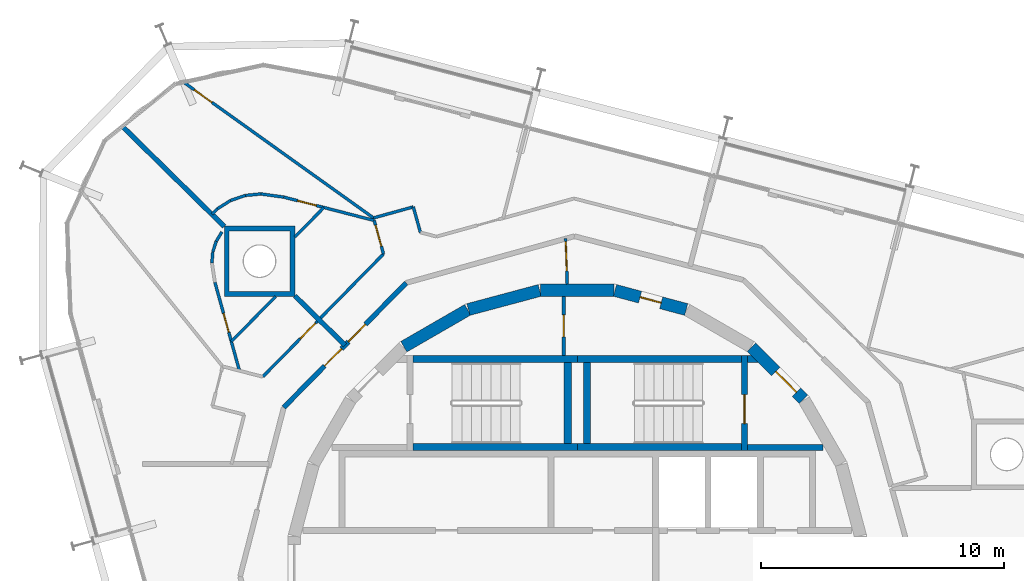
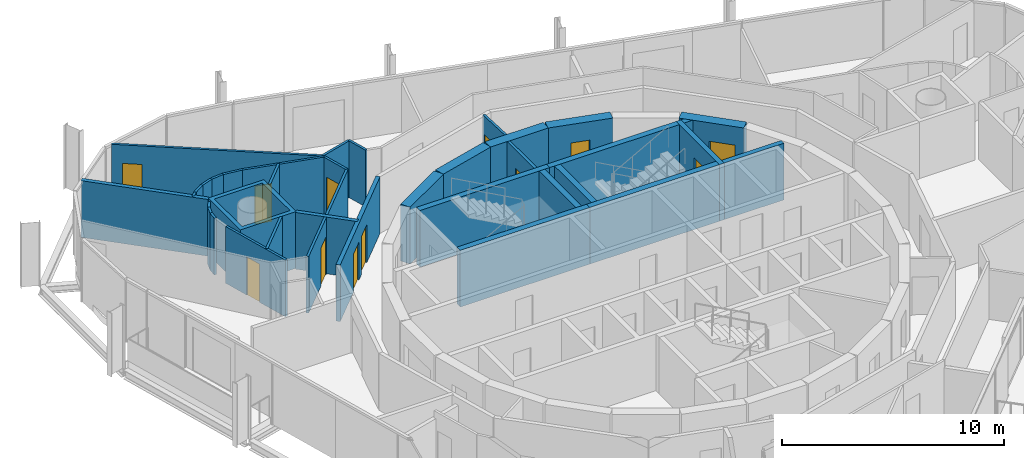
# One storey, part 13 of 16: 37 walls, 12 doors, 12 openings.
"""IFC4 building model written with IfcOpenShell, lengths in metres."""

from ifc_helpers import new_model, si_unit, direction, frame, frame_2d, origin, place, context, subcontext, project, spatial, polyline, rectangle, outline, extrude, material, layer, layer_set, type_object, element, fill, save


model = new_model("IFC4")

# Units and contexts
model_context = context("Model", 3, precision=1e-05, world=origin(), true_north=direction((0.0, 1.0)))
body_context = subcontext(model_context, "Body", "Model", "MODEL_VIEW")
ifc_project = project(units=[si_unit("LENGTHUNIT", "METRE"), si_unit("AREAUNIT", "SQUARE_METRE"), si_unit("VOLUMEUNIT", "CUBIC_METRE"), si_unit("PLANEANGLEUNIT", "RADIAN"), si_unit("MASSUNIT", "GRAM", prefix="KILO")], contexts=[model_context])

# Site, building, storey
site_placement = place(None, origin())
site = spatial("IfcSite", under=ifc_project, at=site_placement, CompositionType="ELEMENT")
building_placement = place(site_placement, origin())
building = spatial("IfcBuilding", under=site, at=building_placement, Name="Spindle Arch Residences", CompositionType="ELEMENT")
storey_placement = place(building_placement, frame((0.0, 0.0, 301.699951171875)))
storey = spatial("IfcBuildingStorey", under=building, at=storey_placement, Name="L77", CompositionType="ELEMENT", Elevation=301.699951171875)

# Wall, opening, door
ifc_material_1 = material(Name="Concrete C50/60", Category="concrete")
ifc_layer_1 = layer(ifc_material_1, 0.5)
ifc_layer_set_1 = layer_set([ifc_layer_1], Name="Core outline wall 500")
wall_type_1 = type_object("IfcWallType", Name="Core outline wall 500", PredefinedType="SHEAR", material=ifc_layer_set_1)
wall_1_placement = place(storey_placement, frame((9.30810546875, 7.163818359375, 0.0), z_axis=(0.0, 0.0, 1.0), x_axis=(-0.707106781187, 0.707106781187, 0.0)))
wall_1 = element("IfcWall", 1, at=wall_1_placement, inside=storey, type_object=wall_type_1, Name="Core outline wall 9", PredefinedType="SHEAR", context=body_context, shape_type="SweptSolid", body=[
    extrude(rectangle(XDim=3.032470703125, YDim=0.5, at=frame_2d((1.51611328125, 0.0))), origin(), (0.0, 0.0, 1.0), 3.1201171875),
])
opening_1_placement = place(wall_1_placement, frame((0.416259765625, 0.0, 0.0)))
opening_1 = element("IfcOpeningElement", 2, at=opening_1_placement, cuts=wall_1, Name="Opening R8A1-AD01", PredefinedType="OPENING", context=body_context, shape_type="SweptSolid", body=[
    extrude(rectangle(XDim=1.199951171875, YDim=2.10009765625, at=frame_2d((0.60009765625, 1.050048828125))), frame((0.0, 0.260009765625, 0.0), z_axis=(0.0, -1.0, 0.0), x_axis=(1.0, 0.0, 0.0)), (0.0, 0.0, 1.0), 0.52001953125),
])
ifc_material_2 = material(Name="Steel, fire-resisting door", Category="steel")
door_type_1 = type_object("IfcDoorType", Name="Stair airlock door 1200x2100", OperationType="SINGLE_SWING_LEFT", PredefinedType="DOOR", material=ifc_material_2)
door_1_placement = place(opening_1_placement, origin())
door_1 = element("IfcDoor", 3, at=door_1_placement, inside=storey, type_object=door_type_1, Name="Stair airlock door R8A1-AD01", OperationType="SINGLE_SWING_RIGHT", OverallHeight=2.10009765625, OverallWidth=1.199951171875, PredefinedType="DOOR", context=body_context, shape_type="SweptSolid", body=[
    extrude(rectangle(XDim=1.199951171875, YDim=2.10009765625, at=frame_2d((0.60009765625, 1.050048828125))), frame((0.0, 0.02490234375, 0.0), z_axis=(0.0, -1.0, 0.0), x_axis=(1.0, 0.0, 0.0)), (0.0, 0.0, 1.0), 0.050048828125),
])
fill(opening_1, door_1)

wall_2_placement = place(storey_placement, frame((4.479248046875, 10.858154296875, 0.0), z_axis=(0.0, 0.0, 1.0), x_axis=(-0.965948410781, 0.258734743916, 0.0)))
wall_2 = element("IfcWall", 4, at=wall_2_placement, inside=storey, type_object=wall_type_1, Name="Core outline wall 11", PredefinedType="SHEAR", context=body_context, shape_type="SweptSolid", body=[
    extrude(rectangle(XDim=3.03271484375, YDim=0.5, at=frame_2d((1.516357421875, 0.0))), origin(), (0.0, 0.0, 1.0), 3.1201171875),
])
opening_2_placement = place(wall_2_placement, frame((1.066162109375, 0.0, 0.0)))
opening_2 = element("IfcOpeningElement", 5, at=opening_2_placement, cuts=wall_2, Name="Opening R8A1-WD11", PredefinedType="OPENING", context=body_context, shape_type="SweptSolid", body=[
    extrude(rectangle(XDim=0.89990234375, YDim=2.10009765625, at=frame_2d((0.449951171875, 1.050048828125))), frame((0.0, 0.260009765625, 0.0), z_axis=(0.0, -1.0, 0.0), x_axis=(1.0, 0.0, 0.0)), (0.0, 0.0, 1.0), 0.52001953125),
])
ifc_material_3 = material(Name="Steel, fire-resisting door", Category="steel")
door_type_2 = type_object("IfcDoorType", Name="Service room door 900x2100", OperationType="SINGLE_SWING_LEFT", PredefinedType="DOOR", material=ifc_material_3)
door_2_placement = place(opening_2_placement, origin())
door_2 = element("IfcDoor", 6, at=door_2_placement, inside=storey, type_object=door_type_2, Name="Service room door R8A1-WD11", OperationType="SINGLE_SWING_LEFT", OverallHeight=2.10009765625, OverallWidth=0.89990234375, PredefinedType="DOOR", context=body_context, shape_type="SweptSolid", body=[
    extrude(rectangle(XDim=0.89990234375, YDim=2.10009765625, at=frame_2d((0.449951171875, 1.050048828125))), frame((0.0, 0.02490234375, 0.0), z_axis=(0.0, -1.0, 0.0), x_axis=(1.0, 0.0, 0.0)), (0.0, 0.0, 1.0), 0.050048828125),
])
fill(opening_2, door_2)

# Walls
for number, where, z_axis, x_axis, name in (
    (7, (1.516357421875, 11.647216796875, 0.0), (0.0, 0.0, 1.0), (-1.0, 0.0, 0.0), "Core outline wall 12"),
    (8, (-1.5498046875, 11.642822265625, 0.0), (0.0, 0.0, 1.0), (-0.965948410781, -0.258734743916, 0.0), "Core outline wall 13"),
    (9, (-4.510498046875, 10.84521484375, 0.0), (0.0, 0.0, 1.0), (-0.865975092491, -0.500087131594, 0.0), "Core outline wall 14"),
):
    element("IfcWall", number, at=place(storey_placement, frame(where, z_axis=z_axis, x_axis=x_axis)), inside=storey, type_object=wall_type_1, Name=name, PredefinedType="SHEAR", context=body_context, shape_type="SweptSolid", body=[
        extrude(rectangle(XDim=3.03271484375, YDim=0.5, at=frame_2d((1.516357421875, 0.0))), origin(), (0.0, 0.0, 1.0), 3.1201171875),
    ])

# Wall, opening, door
ifc_material_4 = material(Name="Plasterboard on steel studs", Category="steel")
ifc_layer_2 = layer(ifc_material_4, 0.1201171875)
ifc_layer_set_2 = layer_set([ifc_layer_2], Name="Corridor division wall 120")
wall_type_2 = type_object("IfcWallType", Name="Corridor division wall 120", PredefinedType="PARTITIONING", material=ifc_layer_set_2)
wall_3_placement = place(storey_placement, frame((-0.48095703125, 13.7724609375, 0.0), z_axis=(0.0, 0.0, 1.0), x_axis=(0.034870071203, -0.999391854146, 0.0)))
wall_3 = element("IfcWall", 10, at=wall_3_placement, inside=storey, type_object=wall_type_2, Name="Corridor division wall R8A1-W001", PredefinedType="PARTITIONING", context=body_context, shape_type="SweptSolid", body=[
    extrude(rectangle(XDim=1.87646484375, YDim=0.1201171875, at=frame_2d((0.938232421875, 0.0))), origin(), (0.0, 0.0, 1.0), 3.1201171875),
])
opening_3_placement = place(wall_3_placement, frame((0.125, 0.0, 0.0)))
opening_3 = element("IfcOpeningElement", 11, at=opening_3_placement, cuts=wall_3, Name="Opening R8A1-CD01", PredefinedType="OPENING", context=body_context, shape_type="SweptSolid", body=[
    extrude(rectangle(XDim=1.199951171875, YDim=2.10009765625, at=frame_2d((0.60009765625, 1.050048828125))), frame((0.0, 0.070068359375, 0.0), z_axis=(0.0, -1.0, 0.0), x_axis=(1.0, 0.0, 0.0)), (0.0, 0.0, 1.0), 0.14013671875),
])
ifc_material_5 = material(Name="Steel, fire-resisting door", Category="steel")
door_type_3 = type_object("IfcDoorType", Name="Corridor division door 1200x2100", OperationType="NOTDEFINED", PredefinedType="DOOR", material=ifc_material_5)
door_3_placement = place(opening_3_placement, origin())
door_3 = element("IfcDoor", 12, at=door_3_placement, inside=storey, type_object=door_type_3, Name="Corridor division door R8A1-CD01", OperationType="DOUBLE_DOOR_SINGLE_SWING", OverallHeight=2.10009765625, OverallWidth=1.199951171875, PredefinedType="DOOR", context=body_context, shape_type="SweptSolid", body=[
    extrude(rectangle(XDim=1.199951171875, YDim=2.10009765625, at=frame_2d((0.60009765625, 1.050048828125))), frame((0.0, 0.02490234375, 0.0), z_axis=(0.0, -1.0, 0.0), x_axis=(1.0, 0.0, 0.0)), (0.0, 0.0, 1.0), 0.050048828125),
])
fill(opening_3, door_3)

# Wall, openings, doors
ifc_material_6 = material(Name="Calcium silicate block, plastered")
ifc_layer_3 = layer(ifc_material_6, 0.199951171875)
ifc_layer_set_3 = layer_set([ifc_layer_3], Name="Corridor wall 200")
wall_type_3 = type_object("IfcWallType", Name="Corridor wall 200", PredefinedType="STANDARD", material=ifc_layer_set_3)
wall_4_placement = place(storey_placement, frame((-7.041015625, 11.953125, 0.0), z_axis=(0.0, 0.0, 1.0), x_axis=(-0.70090916255, -0.713250549143, 0.0)))
wall_4 = element("IfcWall", 13, at=wall_4_placement, inside=storey, type_object=wall_type_3, Name="Corridor wall R8A1-W012", PredefinedType="STANDARD", context=body_context, shape_type="SweptSolid", body=[
    extrude(rectangle(XDim=7.180908203125, YDim=0.199951171875, at=frame_2d((3.59033203125, 0.0))), origin(), (0.0, 0.0, 1.0), 3.1201171875),
])
opening_4_placement = place(wall_4_placement, frame((2.390380859375, 0.0, 0.0)))
opening_4 = element("IfcOpeningElement", 14, at=opening_4_placement, cuts=wall_4, Name="Opening R8A1-FD02", PredefinedType="OPENING", context=body_context, shape_type="SweptSolid", body=[
    extrude(rectangle(XDim=1.0, YDim=2.10009765625, at=frame_2d((0.5, 1.050048828125))), frame((0.0, 0.10986328125, 0.0), z_axis=(0.0, -1.0, 0.0), x_axis=(1.0, 0.0, 0.0)), (0.0, 0.0, 1.0), 0.219970703125),
])
opening_5_placement = place(wall_4_placement, frame((3.79052734375, 0.0, 0.0)))
opening_5 = element("IfcOpeningElement", 15, at=opening_5_placement, cuts=wall_4, Name="Opening R8A1-FD03", PredefinedType="OPENING", context=body_context, shape_type="SweptSolid", body=[
    extrude(rectangle(XDim=1.0, YDim=2.10009765625, at=frame_2d((0.5, 1.050048828125))), frame((0.0, 0.10986328125, 0.0), z_axis=(0.0, -1.0, 0.0), x_axis=(1.0, 0.0, 0.0)), (0.0, 0.0, 1.0), 0.219970703125),
])
ifc_material_7 = material(Name="Timber, fire-resisting door set", Category="wood")
door_type_4 = type_object("IfcDoorType", Name="Flat entrance door 1000x2100", OperationType="NOTDEFINED", PredefinedType="DOOR", material=ifc_material_7)
door_4_placement = place(opening_4_placement, origin())
door_4 = element("IfcDoor", 16, at=door_4_placement, inside=storey, type_object=door_type_4, Name="Flat entrance door R8A1-FD02", OperationType="SINGLE_SWING_RIGHT", OverallHeight=2.10009765625, OverallWidth=1.0, PredefinedType="DOOR", context=body_context, shape_type="SweptSolid", body=[
    extrude(rectangle(XDim=1.0, YDim=2.10009765625, at=frame_2d((0.5, 1.050048828125))), frame((0.0, 0.02490234375, 0.0), z_axis=(0.0, -1.0, 0.0), x_axis=(1.0, 0.0, 0.0)), (0.0, 0.0, 1.0), 0.050048828125),
])
fill(opening_4, door_4)
door_5_placement = place(opening_5_placement, origin())
door_5 = element("IfcDoor", 17, at=door_5_placement, inside=storey, type_object=door_type_4, Name="Flat entrance door R8A1-FD03", OperationType="SINGLE_SWING_LEFT", OverallHeight=2.10009765625, OverallWidth=1.0, PredefinedType="DOOR", context=body_context, shape_type="SweptSolid", body=[
    extrude(rectangle(XDim=1.0, YDim=2.10009765625, at=frame_2d((0.5, 1.050048828125))), frame((0.0, 0.02490234375, 0.0), z_axis=(0.0, -1.0, 0.0), x_axis=(1.0, 0.0, 0.0)), (0.0, 0.0, 1.0), 0.050048828125),
])
fill(opening_5, door_5)

# Walls
ifc_material_8 = material(Name="Plasterboard on steel studs", Category="steel")
ifc_layer_4 = layer(ifc_material_8, 0.1201171875)
ifc_layer_set_4 = layer_set([ifc_layer_4], Name="Flat partition 120")
wall_type_4 = type_object("IfcWallType", Name="Flat partition 120", PredefinedType="PARTITIONING", material=ifc_layer_set_4)
wall_5_placement = place(storey_placement, frame((-6.45458984375, 14.027587890625, 0.0), z_axis=(0.0, 0.0, 1.0), x_axis=(-0.267355376842, 0.963597998376, 0.0)))
element("IfcWall", 18, at=wall_5_placement, inside=storey, type_object=wall_type_4, Name="Flat partition R8A1-W046", PredefinedType="PARTITIONING", context=body_context, shape_type="SweptSolid", body=[
    extrude(rectangle(XDim=1.09130859375, YDim=0.1201171875, at=frame_2d((0.545654296875, 0.0))), origin(), (0.0, 0.0, 1.0), 3.1201171875),
])
wall_6_placement = place(storey_placement, frame((-6.746337890625, 15.0791015625, 0.0), z_axis=(0.0, 0.0, 1.0), x_axis=(-0.963624820233, -0.267258687102, 0.0)))
element("IfcWall", 19, at=wall_6_placement, inside=storey, type_object=wall_type_4, Name="Flat partition R8A1-W047", PredefinedType="PARTITIONING", context=body_context, shape_type="SweptSolid", body=[
    extrude(rectangle(XDim=1.699951171875, YDim=0.1201171875, at=frame_2d((0.85009765625, 0.0))), origin(), (0.0, 0.0, 1.0), 3.1201171875),
])

# Wall, opening, door
wall_7_placement = place(storey_placement, frame((-8.35498046875, 14.51904296875, 0.0), z_axis=(0.0, 0.0, 1.0), x_axis=(0.267052638692, -0.963681943469, 0.0)))
wall_7 = element("IfcWall", 20, at=wall_7_placement, inside=storey, type_object=wall_type_4, Name="Flat partition R8A1-W048", PredefinedType="PARTITIONING", context=body_context, shape_type="SweptSolid", body=[
    extrude(rectangle(XDim=1.427001953125, YDim=0.1201171875, at=frame_2d((0.71337890625, 0.0))), origin(), (0.0, 0.0, 1.0), 3.1201171875),
])
opening_6_placement = place(wall_7_placement, frame((0.199951171875, 0.0, 0.0)))
opening_6 = element("IfcOpeningElement", 21, at=opening_6_placement, cuts=wall_7, Name="Opening R8A1-ID07", PredefinedType="OPENING", context=body_context, shape_type="SweptSolid", body=[
    extrude(rectangle(XDim=0.89990234375, YDim=2.10009765625, at=frame_2d((0.449951171875, 1.050048828125))), frame((0.0, 0.070068359375, 0.0), z_axis=(0.0, -1.0, 0.0), x_axis=(1.0, 0.0, 0.0)), (0.0, 0.0, 1.0), 0.14013671875),
])
ifc_material_9 = material(Name="Timber door set", Category="wood")
door_type_5 = type_object("IfcDoorType", Name="Room door 900x2100", OperationType="NOTDEFINED", PredefinedType="DOOR", material=ifc_material_9)
door_6_placement = place(opening_6_placement, origin())
door_6 = element("IfcDoor", 22, at=door_6_placement, inside=storey, type_object=door_type_5, Name="Room door R8A1-ID07", OperationType="SINGLE_SWING_LEFT", OverallHeight=2.10009765625, OverallWidth=0.89990234375, PredefinedType="DOOR", context=body_context, shape_type="SweptSolid", body=[
    extrude(rectangle(XDim=0.89990234375, YDim=2.10009765625, at=frame_2d((0.449951171875, 1.050048828125))), frame((0.0, 0.02490234375, 0.0), z_axis=(0.0, -1.0, 0.0), x_axis=(1.0, 0.0, 0.0)), (0.0, 0.0, 1.0), 0.050048828125),
])
fill(opening_6, door_6)

wall_8_placement = place(storey_placement, frame((-7.973876953125, 13.143798828125, 0.0), z_axis=(0.0, 0.0, 1.0), x_axis=(-0.700910366085, -0.713249366432, 0.0)))
wall_8 = element("IfcWall", 23, at=wall_8_placement, inside=storey, type_object=wall_type_4, Name="Flat partition R8A1-W049", PredefinedType="PARTITIONING", context=body_context, shape_type="SweptSolid", body=[
    extrude(rectangle(XDim=7.08349609375, YDim=0.1201171875, at=frame_2d((3.541748046875, 0.0))), origin(), (0.0, 0.0, 1.0), 3.1201171875),
])
opening_7_placement = place(wall_8_placement, frame((3.986083984375, 0.0, 0.0)))
opening_7 = element("IfcOpeningElement", 24, at=opening_7_placement, cuts=wall_8, Name="Opening R8A1-ID09", PredefinedType="OPENING", context=body_context, shape_type="SweptSolid", body=[
    extrude(rectangle(XDim=0.89990234375, YDim=2.10009765625, at=frame_2d((0.449951171875, 1.050048828125))), frame((0.0, 0.070068359375, 0.0), z_axis=(0.0, -1.0, 0.0), x_axis=(1.0, 0.0, 0.0)), (0.0, 0.0, 1.0), 0.14013671875),
])
door_7_placement = place(opening_7_placement, origin())
door_7 = element("IfcDoor", 25, at=door_7_placement, inside=storey, type_object=door_type_5, Name="Room door R8A1-ID09", OperationType="SINGLE_SWING_LEFT", OverallHeight=2.10009765625, OverallWidth=0.89990234375, PredefinedType="DOOR", context=body_context, shape_type="SweptSolid", body=[
    extrude(rectangle(XDim=0.89990234375, YDim=2.10009765625, at=frame_2d((0.449951171875, 1.050048828125))), frame((0.0, 0.02490234375, 0.0), z_axis=(0.0, -1.0, 0.0), x_axis=(1.0, 0.0, 0.0)), (0.0, 0.0, 1.0), 0.050048828125),
])
fill(opening_7, door_7)

wall_9_placement = place(storey_placement, frame((-16.165283203125, 20.18798828125, 0.0), z_axis=(0.0, 0.0, 1.0), x_axis=(0.813459166979, -0.581622028175, 0.0)))
wall_9 = element("IfcWall", 26, at=wall_9_placement, inside=storey, type_object=wall_type_4, Name="Flat partition R8A1-W051", PredefinedType="PARTITIONING", context=body_context, shape_type="SweptSolid", body=[
    extrude(rectangle(XDim=9.56494140625, YDim=0.1201171875, at=frame_2d((4.782470703125, 0.0))), origin(), (0.0, 0.0, 1.0), 3.1201171875),
])
opening_8_placement = place(wall_9_placement, frame((0.5, 0.0, 0.0)))
opening_8 = element("IfcOpeningElement", 27, at=opening_8_placement, cuts=wall_9, Name="Opening R8A1-ID08", PredefinedType="OPENING", context=body_context, shape_type="SweptSolid", body=[
    extrude(rectangle(XDim=0.89990234375, YDim=2.10009765625, at=frame_2d((0.449951171875, 1.050048828125))), frame((0.0, 0.070068359375, 0.0), z_axis=(0.0, -1.0, 0.0), x_axis=(1.0, 0.0, 0.0)), (0.0, 0.0, 1.0), 0.14013671875),
])
door_8_placement = place(opening_8_placement, origin())
door_8 = element("IfcDoor", 28, at=door_8_placement, inside=storey, type_object=door_type_5, Name="Room door R8A1-ID08", OperationType="SINGLE_SWING_RIGHT", OverallHeight=2.10009765625, OverallWidth=0.89990234375, PredefinedType="DOOR", context=body_context, shape_type="SweptSolid", body=[
    extrude(rectangle(XDim=0.89990234375, YDim=2.10009765625, at=frame_2d((0.449951171875, 1.050048828125))), frame((0.0, 0.02490234375, 0.0), z_axis=(0.0, -1.0, 0.0), x_axis=(1.0, 0.0, 0.0)), (0.0, 0.0, 1.0), 0.050048828125),
])
fill(opening_8, door_8)

wall_10_placement = place(storey_placement, frame((-8.35498046875, 14.51904296875, 0.0), z_axis=(0.0, 0.0, 1.0), x_axis=(-0.968146911612, 0.250382821969, 0.0)))
wall_10 = element("IfcWall", 29, at=wall_10_placement, inside=storey, type_object=wall_type_4, Name="Flat partition R8A1-W052", PredefinedType="PARTITIONING", context=body_context, shape_type="SweptSolid", body=[
    extrude(rectangle(XDim=3.8466796875, YDim=0.1201171875, at=frame_2d((1.92333984375, 0.0))), origin(), (0.0, 0.0, 1.0), 3.1201171875),
])
opening_9_placement = place(wall_10_placement, frame((2.458251953125, 0.0, 0.0)))
opening_9 = element("IfcOpeningElement", 30, at=opening_9_placement, cuts=wall_10, Name="Opening R8A1-BD02", PredefinedType="OPENING", context=body_context, shape_type="SweptSolid", body=[
    extrude(rectangle(XDim=0.800048828125, YDim=2.10009765625, at=frame_2d((0.39990234375, 1.050048828125))), frame((0.0, 0.070068359375, 0.0), z_axis=(0.0, -1.0, 0.0), x_axis=(1.0, 0.0, 0.0)), (0.0, 0.0, 1.0), 0.14013671875),
])
ifc_material_10 = material(Name="Timber door set", Category="wood")
door_type_6 = type_object("IfcDoorType", Name="Bathroom door 800x2100", OperationType="NOTDEFINED", PredefinedType="DOOR", material=ifc_material_10)
door_9_placement = place(opening_9_placement, origin())
door_9 = element("IfcDoor", 31, at=door_9_placement, inside=storey, type_object=door_type_6, Name="Bathroom door R8A1-BD02", OperationType="SINGLE_SWING_LEFT", OverallHeight=2.10009765625, OverallWidth=0.800048828125, PredefinedType="DOOR", context=body_context, shape_type="SweptSolid", body=[
    extrude(rectangle(XDim=0.800048828125, YDim=2.10009765625, at=frame_2d((0.39990234375, 1.050048828125))), frame((0.0, 0.02490234375, 0.0), z_axis=(0.0, -1.0, 0.0), x_axis=(1.0, 0.0, 0.0)), (0.0, 0.0, 1.0), 0.050048828125),
])
fill(opening_9, door_9)

# Walls
wall_11_placement = place(storey_placement, frame((-10.42529296875, 15.054443359375, 0.0), z_axis=(0.0, 0.0, 1.0), x_axis=(-0.700866383264, -0.713292585698, 0.0)))
element("IfcWall", 32, at=wall_11_placement, inside=storey, type_object=wall_type_4, Name="Flat partition R8A1-W053", PredefinedType="PARTITIONING", context=body_context, shape_type="SweptSolid", body=[
    extrude(rectangle(XDim=1.709228515625, YDim=0.1201171875, at=frame_2d((0.8544921875, 0.0))), origin(), (0.0, 0.0, 1.0), 3.1201171875),
])
wall_12_placement = place(storey_placement, frame((-15.031982421875, 14.771728515625, 0.0), z_axis=(0.0, 0.0, 1.0), x_axis=(0.701378407906, 0.712789119532, 0.0)))
element("IfcWall", 33, at=wall_12_placement, inside=storey, type_object=wall_type_4, Name="Flat partition R8A1-W054", PredefinedType="PARTITIONING", context=body_context, shape_type="SweptSolid", body=[
    extrude(rectangle(XDim=0.321044921875, YDim=0.1201171875, at=frame_2d((0.16064453125, 0.0))), origin(), (0.0, 0.0, 1.0), 3.1201171875),
])
wall_13_placement = place(storey_placement, frame((-14.806884765625, 15.00048828125, 0.0), z_axis=(0.0, 0.0, 1.0), x_axis=(0.846499451836, 0.532389592349, 0.0)))
element("IfcWall", 34, at=wall_13_placement, inside=storey, type_object=wall_type_4, Name="Flat partition R8A1-W055", PredefinedType="PARTITIONING", context=body_context, shape_type="SweptSolid", body=[
    extrude(rectangle(XDim=0.64208984375, YDim=0.1201171875, at=frame_2d((0.321044921875, 0.0))), origin(), (0.0, 0.0, 1.0), 3.1201171875),
])
for number, where, z_axis, x_axis, name in (
    (35, (-14.263427734375, 15.34228515625, 0.0), (0.0, 0.0, 1.0), (0.946415093137, 0.322952738775, 0.0), "Flat partition R8A1-W056"),
    (36, (-13.656005859375, 15.549560546875, 0.0), (0.0, 0.0, 1.0), (0.995395778839, 0.095850109388, 0.0), "Flat partition R8A1-W057"),
):
    element("IfcWall", number, at=place(storey_placement, frame(where, z_axis=z_axis, x_axis=x_axis)), inside=storey, type_object=wall_type_4, Name=name, PredefinedType="PARTITIONING", context=body_context, shape_type="SweptSolid", body=[
        extrude(rectangle(XDim=0.641845703125, YDim=0.1201171875, at=frame_2d((0.32080078125, 0.0))), origin(), (0.0, 0.0, 1.0), 3.1201171875),
    ])
wall_14_placement = place(storey_placement, frame((-13.01708984375, 15.611083984375, 0.0), z_axis=(0.0, 0.0, 1.0), x_axis=(0.990688406717, -0.136148745119, 0.0)))
element("IfcWall", 37, at=wall_14_placement, inside=storey, type_object=wall_type_4, Name="Flat partition R8A1-W058", PredefinedType="PARTITIONING", context=body_context, shape_type="SweptSolid", body=[
    extrude(rectangle(XDim=0.94677734375, YDim=0.1201171875, at=frame_2d((0.473388671875, 0.0))), origin(), (0.0, 0.0, 1.0), 3.1201171875),
])

# Wall, opening, door
wall_15_placement = place(storey_placement, frame((-13.898681640625, 8.33984375, 0.0), z_axis=(0.0, 0.0, 1.0), x_axis=(-0.267286775597, 0.963617029525, 0.0)))
wall_15 = element("IfcWall", 38, at=wall_15_placement, inside=storey, type_object=wall_type_4, Name="Flat partition R8A1-W063", PredefinedType="PARTITIONING", context=body_context, shape_type="SweptSolid", body=[
    extrude(rectangle(XDim=3.773193359375, YDim=0.1201171875, at=frame_2d((1.88671875, 0.0))), origin(), (0.0, 0.0, 1.0), 3.1201171875),
])
opening_10_placement = place(wall_15_placement, frame((1.645751953125, 0.0, 0.0)))
opening_10 = element("IfcOpeningElement", 39, at=opening_10_placement, cuts=wall_15, Name="Opening R8A1-BD03", PredefinedType="OPENING", context=body_context, shape_type="SweptSolid", body=[
    extrude(rectangle(XDim=0.800048828125, YDim=2.10009765625, at=frame_2d((0.39990234375, 1.050048828125))), frame((0.0, 0.070068359375, 0.0), z_axis=(0.0, -1.0, 0.0), x_axis=(1.0, 0.0, 0.0)), (0.0, 0.0, 1.0), 0.14013671875),
])
door_10_placement = place(opening_10_placement, origin())
door_10 = element("IfcDoor", 40, at=door_10_placement, inside=storey, type_object=door_type_6, Name="Bathroom door R8A1-BD03", OperationType="SINGLE_SWING_RIGHT", OverallHeight=2.10009765625, OverallWidth=0.800048828125, PredefinedType="DOOR", context=body_context, shape_type="SweptSolid", body=[
    extrude(rectangle(XDim=0.800048828125, YDim=2.10009765625, at=frame_2d((0.39990234375, 1.050048828125))), frame((0.0, 0.02490234375, 0.0), z_axis=(0.0, -1.0, 0.0), x_axis=(1.0, 0.0, 0.0)), (0.0, 0.0, 1.0), 0.050048828125),
])
fill(opening_10, door_10)

# Walls
for number, where, z_axis, x_axis, name in (
    (41, (-15.031005859375, 12.773193359375, 0.0), (0.0, 0.0, 1.0), (0.078379560664, 0.996923590086, 0.0), "Flat partition R8A1-W065"),
    (42, (-14.995361328125, 13.2265625, 0.0), (0.0, 0.0, 1.0), (0.30590494568, 0.952062059011, 0.0), "Flat partition R8A1-W066"),
    (43, (-14.856201171875, 13.65966796875, 0.0), (0.0, 0.0, 1.0), (0.517885366955, 0.855450025831, 0.0), "Flat partition R8A1-W067"),
):
    element("IfcWall", number, at=place(storey_placement, frame(where, z_axis=z_axis, x_axis=x_axis)), inside=storey, type_object=wall_type_4, Name=name, PredefinedType="PARTITIONING", context=body_context, shape_type="SweptSolid", body=[
        extrude(rectangle(XDim=0.454833984375, YDim=0.1201171875, at=frame_2d((0.2275390625, 0.0))), origin(), (0.0, 0.0, 1.0), 3.1201171875),
    ])
wall_16_placement = place(storey_placement, frame((-14.231689453125, 9.540283203125, 0.0), z_axis=(0.0, 0.0, 1.0), x_axis=(0.700890401548, 0.713268985038, 0.0)))
element("IfcWall", 44, at=wall_16_placement, inside=storey, type_object=wall_type_4, Name="Flat partition R8A1-W069", PredefinedType="PARTITIONING", context=body_context, shape_type="SweptSolid", body=[
    extrude(rectangle(XDim=2.603515625, YDim=0.1201171875, at=frame_2d((1.3017578125, 0.0))), origin(), (0.0, 0.0, 1.0), 3.1201171875),
])
ifc_material_11 = material(Name="Calcium silicate block, plastered")
ifc_layer_5 = layer(ifc_material_11, 0.199951171875)
ifc_layer_set_5 = layer_set([ifc_layer_5], Name="Flat party wall 200")
wall_type_5 = type_object("IfcWallType", Name="Flat party wall 200", PredefinedType="STANDARD", material=ifc_layer_set_5)
wall_17_placement = place(storey_placement, frame((-11.623291015625, 11.422119140625, 0.0), z_axis=(0.0, 0.0, 1.0), x_axis=(0.713233657229, -0.700926351478, 0.0)))
element("IfcWall", 45, at=wall_17_placement, inside=storey, type_object=wall_type_5, Name="Flat party wall R8A1-W026", PredefinedType="STANDARD", context=body_context, shape_type="SweptSolid", body=[
    extrude(rectangle(XDim=2.896240234375, YDim=0.199951171875, at=frame_2d((1.4482421875, 0.0))), origin(), (0.0, 0.0, 1.0), 3.1201171875),
])
wall_18_placement = place(storey_placement, frame((-18.74072265625, 18.41650390625, 0.0), z_axis=(0.0, 0.0, 1.0), x_axis=(0.713252414586, -0.700907264256, 0.0)))
element("IfcWall", 46, at=wall_18_placement, inside=storey, type_object=wall_type_5, Name="Flat party wall R8A1-W027", PredefinedType="STANDARD", context=body_context, shape_type="SweptSolid", body=[
    extrude(rectangle(XDim=5.9130859375, YDim=0.199951171875, at=frame_2d((2.95654296875, 0.0))), origin(), (0.0, 0.0, 1.0), 3.1201171875),
])
ifc_material_12 = material(Name="Calcium silicate block, plastered")
ifc_layer_6 = layer(ifc_material_12, 0.199951171875)
ifc_layer_set_6 = layer_set([ifc_layer_6], Name="Mega-column casing wall 200")
wall_type_6 = type_object("IfcWallType", Name="Mega-column casing wall 200", PredefinedType="STANDARD", material=ifc_layer_set_6)
wall_19_placement = place(storey_placement, origin())
element("IfcWall", 47, at=wall_19_placement, inside=storey, type_object=wall_type_6, Name="Mega-column casing wall R8A1-WC02", PredefinedType="STANDARD", context=body_context, shape_type="SweptSolid", body=[
    extrude(outline(polyline([(-11.623291015625, 14.297119140625), (-11.623291015625, 11.397216796875), (-14.523193359375, 11.397216796875), (-14.523193359375, 14.297119140625), (-11.623291015625, 14.297119140625)]), holes=[polyline([(-14.3232421875, 11.59716796875), (-11.8232421875, 11.59716796875), (-11.8232421875, 14.09716796875), (-14.3232421875, 14.09716796875), (-14.3232421875, 11.59716796875)])]), origin(), (0.0, 0.0, 1.0), 3.1201171875),
])

# Wall, opening, door
ifc_material_13 = material(Name="Concrete C25/30", Category="concrete")
ifc_layer_7 = layer(ifc_material_13, 0.14990234375)
ifc_layer_set_7 = layer_set([ifc_layer_7], Name="Service room partition 150")
wall_type_7 = type_object("IfcWallType", Name="Service room partition 150", PredefinedType="PARTITIONING", material=ifc_layer_set_7)
wall_20_placement = place(storey_placement, frame((-0.5615234375, 8.969970703125, 0.0), z_axis=(0.0, 0.0, 1.0), x_axis=(0.0, 1.0, 0.0)))
wall_20 = element("IfcWall", 48, at=wall_20_placement, inside=storey, type_object=wall_type_7, Name="Core service room partition", PredefinedType="PARTITIONING", context=body_context, shape_type="SweptSolid", body=[
    extrude(rectangle(XDim=2.42724609375, YDim=0.14990234375, at=frame_2d((1.213623046875, 0.0))), origin(), (0.0, 0.0, 1.0), 3.1201171875),
])
opening_11_placement = place(wall_20_placement, frame((0.763671875, 0.0, 0.0)))
opening_11 = element("IfcOpeningElement", 49, at=opening_11_placement, cuts=wall_20, Name="Opening R8A1-WD06", PredefinedType="OPENING", context=body_context, shape_type="SweptSolid", body=[
    extrude(rectangle(XDim=0.89990234375, YDim=2.10009765625, at=frame_2d((0.449951171875, 1.050048828125))), frame((0.0, 0.0849609375, 0.0), z_axis=(0.0, -1.0, 0.0), x_axis=(1.0, 0.0, 0.0)), (0.0, 0.0, 1.0), 0.169921875),
])
door_11_placement = place(opening_11_placement, origin())
door_11 = element("IfcDoor", 50, at=door_11_placement, inside=storey, type_object=door_type_2, Name="Service room door R8A1-WD06", OperationType="SINGLE_SWING_RIGHT", OverallHeight=2.10009765625, OverallWidth=0.89990234375, PredefinedType="DOOR", context=body_context, shape_type="SweptSolid", body=[
    extrude(rectangle(XDim=0.89990234375, YDim=2.10009765625, at=frame_2d((0.449951171875, 1.050048828125))), frame((0.0, 0.02490234375, 0.0), z_axis=(0.0, -1.0, 0.0), x_axis=(1.0, 0.0, 0.0)), (0.0, 0.0, 1.0), 0.050048828125),
])
fill(opening_11, door_11)

# Walls
ifc_material_14 = material(Name="Concrete C40/50", Category="concrete")
ifc_layer_8 = layer(ifc_material_14, 0.25)
ifc_layer_set_8 = layer_set([ifc_layer_8], Name="Stair airlock wall 250")
wall_type_8 = type_object("IfcWallType", Name="Stair airlock wall 250", PredefinedType="SHEAR", material=ifc_layer_set_8)
wall_21_placement = place(storey_placement, frame((7.0, 5.175048828125, 0.0), z_axis=(0.0, 0.0, 1.0), x_axis=(1.0, 0.0, 0.0)))
element("IfcWall", 51, at=wall_21_placement, inside=storey, type_object=wall_type_8, Name="Stair ST-1 airlock wall S", PredefinedType="SHEAR", context=body_context, shape_type="SweptSolid", body=[
    extrude(rectangle(XDim=3.10009765625, YDim=0.25, at=frame_2d((1.550048828125, 0.0))), origin(), (0.0, 0.0, 1.0), 3.1201171875),
])
ifc_material_15 = material(Name="Concrete C40/50", Category="concrete")
wall_type_9 = type_object("IfcWallType", Name="Stair airlock wall profile", PredefinedType="SHEAR", material=ifc_material_15)
wall_22_placement = place(storey_placement, origin())
element("IfcWall", 52, at=wall_22_placement, inside=storey, type_object=wall_type_9, Name="Stair ST-1 airlock wall N", PredefinedType="SHEAR", context=body_context, shape_type="SweptSolid", body=[
    extrude(outline(polyline([(7.4482421875, 8.669921875), (7.0, 8.669921875), (7.0, 8.969970703125), (7.148193359375, 8.969970703125), (7.4482421875, 8.669921875)])), origin(), (0.0, 0.0, 1.0), 3.1201171875),
])

# Wall, opening, door
ifc_material_16 = material(Name="Concrete C50/60", Category="concrete")
ifc_layer_9 = layer(ifc_material_16, 0.25)
ifc_layer_set_9 = layer_set([ifc_layer_9], Name="Stair enclosure wall 250")
wall_type_10 = type_object("IfcWallType", Name="Stair enclosure wall 250", PredefinedType="SHEAR", material=ifc_layer_set_9)
wall_23_placement = place(storey_placement, frame((6.875, 5.050048828125, 0.0), z_axis=(0.0, 0.0, 1.0), x_axis=(0.0, 1.0, 0.0)))
wall_23 = element("IfcWall", 53, at=wall_23_placement, inside=storey, type_object=wall_type_10, Name="Stair ST-1 door wall", PredefinedType="SHEAR", context=body_context, shape_type="SweptSolid", body=[
    extrude(rectangle(XDim=3.919921875, YDim=0.25, at=frame_2d((1.9599609375, 0.0))), origin(), (0.0, 0.0, 1.0), 3.1201171875),
])
opening_12_placement = place(wall_23_placement, frame((1.110107421875, 0.0, 0.0)))
opening_12 = element("IfcOpeningElement", 54, at=opening_12_placement, cuts=wall_23, Name="Opening R8A1-SD01", PredefinedType="OPENING", context=body_context, shape_type="SweptSolid", body=[
    extrude(rectangle(XDim=1.199951171875, YDim=2.10009765625, at=frame_2d((0.60009765625, 1.050048828125))), frame((0.0, 0.135009765625, 0.0), z_axis=(0.0, -1.0, 0.0), x_axis=(1.0, 0.0, 0.0)), (0.0, 0.0, 1.0), 0.27001953125),
])
ifc_material_17 = material(Name="Steel, fire-resisting door", Category="steel")
door_type_7 = type_object("IfcDoorType", Name="Stair door 1200x2100", OperationType="SINGLE_SWING_RIGHT", PredefinedType="DOOR", material=ifc_material_17)
door_12_placement = place(opening_12_placement, origin())
door_12 = element("IfcDoor", 55, at=door_12_placement, inside=storey, type_object=door_type_7, Name="Stair door R8A1-SD01", OperationType="SINGLE_SWING_LEFT", OverallHeight=2.10009765625, OverallWidth=1.199951171875, PredefinedType="DOOR", context=body_context, shape_type="SweptSolid", body=[
    extrude(rectangle(XDim=1.199951171875, YDim=2.10009765625, at=frame_2d((0.60009765625, 1.050048828125))), frame((0.0, 0.02490234375, 0.0), z_axis=(0.0, -1.0, 0.0), x_axis=(1.0, 0.0, 0.0)), (0.0, 0.0, 1.0), 0.050048828125),
])
fill(opening_12, door_12)

# Walls
ifc_material_18 = material(Name="Concrete C50/60", Category="concrete")
ifc_layer_10 = layer(ifc_material_18, 0.300048828125)
ifc_layer_set_10 = layer_set([ifc_layer_10], Name="Stair enclosure wall 300")
wall_type_11 = type_object("IfcWallType", Name="Stair enclosure wall 300", PredefinedType="SHEAR", material=ifc_layer_set_10)
for number, where, z_axis, x_axis, name in (
    (56, (0.0, 5.199951171875, 0.0), (0.0, 0.0, 1.0), (1.0, 0.0, 0.0), "Stair ST-1 enclosure wall S"),
    (57, (0.0, 8.820068359375, 0.0), (0.0, 0.0, 1.0), (1.0, 0.0, 0.0), "Stair ST-1 enclosure wall N"),
):
    element("IfcWall", number, at=place(storey_placement, frame(where, z_axis=z_axis, x_axis=x_axis)), inside=storey, type_object=wall_type_11, Name=name, PredefinedType="SHEAR", context=body_context, shape_type="SweptSolid", body=[
        extrude(rectangle(XDim=6.75, YDim=0.300048828125, at=frame_2d((3.375, 0.0))), origin(), (0.0, 0.0, 1.0), 3.1201171875),
    ])
wall_24_placement = place(storey_placement, frame((0.39990234375, 5.35009765625, 0.0), z_axis=(0.0, 0.0, 1.0), x_axis=(0.0, 1.0, 0.0)))
element("IfcWall", 58, at=wall_24_placement, inside=storey, type_object=wall_type_11, Name="Stair ST-1 enclosure wall F", PredefinedType="SHEAR", context=body_context, shape_type="SweptSolid", body=[
    extrude(rectangle(XDim=3.31982421875, YDim=0.300048828125, at=frame_2d((1.659912109375, 0.0))), origin(), (0.0, 0.0, 1.0), 3.1201171875),
])
for number, where, z_axis, x_axis, name in (
    (59, (-6.75, 5.199951171875, 0.0), (0.0, 0.0, 1.0), (1.0, 0.0, 0.0), "Stair ST-2 enclosure wall S"),
    (60, (-6.75, 8.820068359375, 0.0), (0.0, 0.0, 1.0), (1.0, 0.0, 0.0), "Stair ST-2 enclosure wall N"),
):
    element("IfcWall", number, at=place(storey_placement, frame(where, z_axis=z_axis, x_axis=x_axis)), inside=storey, type_object=wall_type_11, Name=name, PredefinedType="SHEAR", context=body_context, shape_type="SweptSolid", body=[
        extrude(rectangle(XDim=6.75, YDim=0.300048828125, at=frame_2d((3.375, 0.0))), origin(), (0.0, 0.0, 1.0), 3.1201171875),
    ])
wall_25_placement = place(storey_placement, frame((-0.39990234375, 5.35009765625, 0.0), z_axis=(0.0, 0.0, 1.0), x_axis=(0.0, 1.0, 0.0)))
element("IfcWall", 61, at=wall_25_placement, inside=storey, type_object=wall_type_11, Name="Stair ST-2 enclosure wall F", PredefinedType="SHEAR", context=body_context, shape_type="SweptSolid", body=[
    extrude(rectangle(XDim=3.31982421875, YDim=0.300048828125, at=frame_2d((1.659912109375, 0.0))), origin(), (0.0, 0.0, 1.0), 3.1201171875),
])

save(model, "model.ifc")
